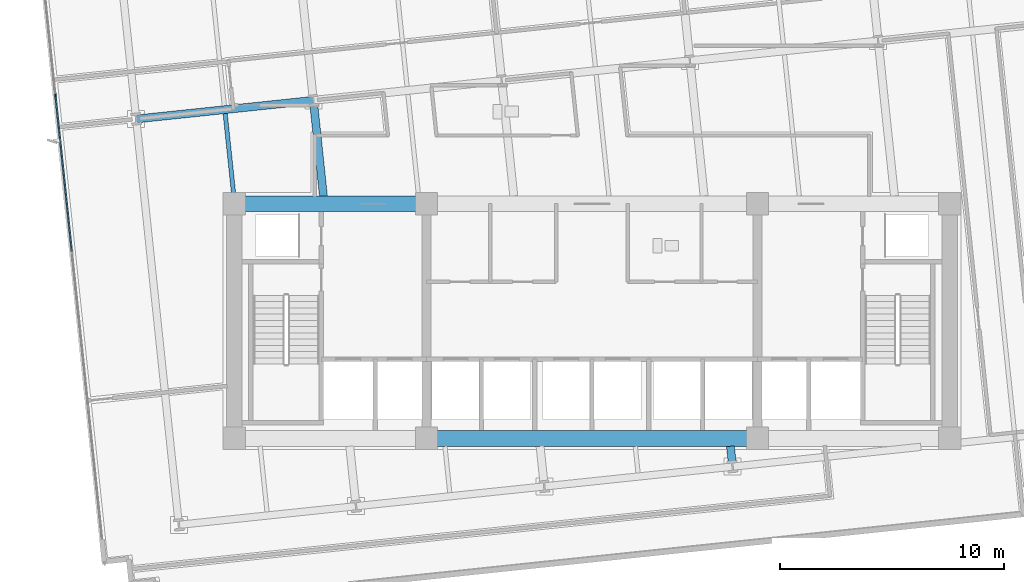
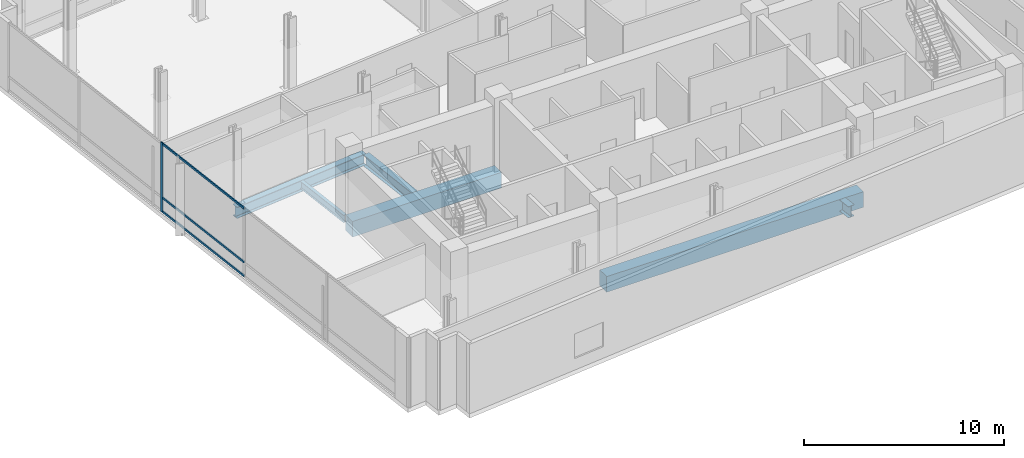
# One storey, part 3 of 20: 6 beams, 4 members, 1 element without a shape of its own.
"""IFC4 building model written with IfcOpenShell, lengths in metres."""

from ifc_helpers import new_model, si_unit, direction, frame, origin, origin_2d, place, context, subcontext, project, spatial, rectangle, i_section, extrude, material, material_profile, profile_set, type_object, element, aggregate, save


model = new_model("IFC4")

# Units and contexts
model_context = context("Model", 3, precision=1e-05, world=origin(), true_north=direction((0.0, 1.0)))
body_context = subcontext(model_context, "Body", "Model", "MODEL_VIEW")
ifc_project = project(units=[si_unit("LENGTHUNIT", "METRE"), si_unit("AREAUNIT", "SQUARE_METRE"), si_unit("VOLUMEUNIT", "CUBIC_METRE"), si_unit("PLANEANGLEUNIT", "RADIAN"), si_unit("MASSUNIT", "GRAM", prefix="KILO")], contexts=[model_context])

# Site, building, storey
site_placement = place(None, origin())
site = spatial("IfcSite", under=ifc_project, at=site_placement, CompositionType="ELEMENT")
building_placement = place(site_placement, origin())
building = spatial("IfcBuilding", under=site, at=building_placement, Name="Solmavex Isthmus Hotel", CompositionType="ELEMENT")
storey_placement = place(building_placement, frame((0.0, 0.0, 101.85009765625)))
storey = spatial("IfcBuildingStorey", under=building, at=storey_placement, Name="L27", CompositionType="ELEMENT", Elevation=101.85009765625)

# Beams
ifc_material_1 = material(Name="Steel ASTM A992 Grade 50", Category="steel")
ifc_material_profile_1 = material_profile(ifc_material_1, i_section(OverallWidth=0.354736328125, OverallDepth=0.695556640625, WebThickness=0.015380859375, FlangeThickness=0.02490234375, FilletRadius=0.017822265625, at=origin_2d()), Name="W27X146")
ifc_profile_set_1 = profile_set([ifc_material_profile_1], Name="Steel ASTM A992 Grade 50")
beam_type_1 = type_object("IfcBeamType", Name="BM-BG-W27X146", PredefinedType="BEAM", material=ifc_profile_set_1)
beam_1_placement = place(storey_placement, frame((-20.383056640625, 1.28564453125, -0.60791015625), z_axis=(0.994520217478, 0.10454442609, 0.0), x_axis=(-0.10454442609, 0.994520217478, 0.0)))
element("IfcBeam", 1, at=beam_1_placement, inside=storey, type_object=beam_type_1, Name="Floor Girder L27-UG07", PredefinedType="BEAM", context=body_context, shape_type="SweptSolid", body=[
    extrude(i_section(OverallWidth=0.354736328125, OverallDepth=0.695556640625, WebThickness=0.015380859375, FlangeThickness=0.02490234375, FilletRadius=0.017822265625, at=origin_2d()), origin(), (0.0, 0.0, 1.0), 7.968017578125),
])
beam_2_placement = place(storey_placement, frame((-12.010009765625, -2.14990234375, -0.60791015625), z_axis=(-0.104548881212, 0.994519749144, 0.0), x_axis=(-0.994519749144, -0.104548881212, 0.0)))
element("IfcBeam", 2, at=beam_2_placement, inside=storey, type_object=beam_type_1, Name="Floor Beam L27-VG29", PredefinedType="BEAM", context=body_context, shape_type="SweptSolid", body=[
    extrude(i_section(OverallWidth=0.354736328125, OverallDepth=0.695556640625, WebThickness=0.015380859375, FlangeThickness=0.02490234375, FilletRadius=0.017822265625, at=origin_2d()), origin(), (0.0, 0.0, 1.0), 4.114501953125),
])
beam_3_placement = place(storey_placement, frame((6.27099609375, -14.09912109375, -0.60791015625), z_axis=(-0.104381041728, 0.99453737895, 0.0), x_axis=(-0.99453737895, -0.104381041728, 0.0)))
element("IfcBeam", 3, at=beam_3_placement, inside=storey, type_object=beam_type_1, Name="Floor Beam L27-VG36", PredefinedType="BEAM", context=body_context, shape_type="SweptSolid", body=[
    extrude(i_section(OverallWidth=0.354736328125, OverallDepth=0.695556640625, WebThickness=0.015380859375, FlangeThickness=0.02490234375, FilletRadius=0.017822265625, at=origin_2d()), origin(), (0.0, 0.0, 1.0), 0.753173828125),
])
ifc_material_profile_2 = material_profile(ifc_material_1, i_section(OverallWidth=0.1904296875, OverallDepth=0.456787109375, WebThickness=0.009033203125, FlangeThickness=0.014404296875, FilletRadius=0.0126953125, at=origin_2d()), Name="W18X50")
ifc_profile_set_2 = profile_set([ifc_material_profile_2], Name="Steel ASTM A992 Grade 50")
beam_type_2 = type_object("IfcBeamType", Name="BM-BJ-W18X50", PredefinedType="JOIST", material=ifc_profile_set_2)
beam_4_placement = place(storey_placement, frame((-16.01611328125, -2.14990234375, -0.488525390625), z_axis=(-0.104505969986, 0.99452425925, 0.0), x_axis=(-0.99452425925, -0.104505969986, 0.0)))
element("IfcBeam", 4, at=beam_4_placement, inside=storey, type_object=beam_type_2, Name="Secondary Floor Joist L27-J02", PredefinedType="JOIST", context=body_context, shape_type="SweptSolid", body=[
    extrude(i_section(OverallWidth=0.1904296875, OverallDepth=0.456787109375, WebThickness=0.009033203125, FlangeThickness=0.014404296875, FilletRadius=0.0126953125, at=origin_2d()), origin(), (0.0, 0.0, 1.0), 3.69580078125),
])
ifc_material_2 = material(Name="Concrete C60/75", Category="concrete")
ifc_material_profile_3 = material_profile(ifc_material_2, rectangle(XDim=0.699951171875, YDim=0.949951171875, at=origin_2d()), Name="RC700X950")
ifc_profile_set_3 = profile_set([ifc_material_profile_3], Name="Concrete C60/75")
beam_type_3 = type_object("IfcBeamType", Name="BM-CB-700X950", PredefinedType="BEAM", material=ifc_profile_set_3)
beam_5_placement = place(storey_placement, frame((-7.39990234375, -13.0, -0.735107421875), z_axis=(1.0, 0.0, 0.0), x_axis=(0.0, 1.0, 0.0)))
element("IfcBeam", 5, at=beam_5_placement, inside=storey, type_object=beam_type_3, Name="Core Coupling Beam L27-CB2", PredefinedType="BEAM", context=body_context, shape_type="SweptSolid", body=[
    extrude(rectangle(XDim=0.699951171875, YDim=0.949951171875, at=origin_2d()), origin(), (0.0, 0.0, 1.0), 14.7998046875),
])
beam_6_placement = place(storey_placement, frame((-16.0, -2.5, -0.735107421875), z_axis=(1.0, 0.0, 0.0), x_axis=(0.0, 1.0, 0.0)))
element("IfcBeam", 6, at=beam_6_placement, inside=storey, type_object=beam_type_3, Name="Core Coupling Beam L27-CB4", PredefinedType="BEAM", context=body_context, shape_type="SweptSolid", body=[
    extrude(rectangle(XDim=0.699951171875, YDim=0.949951171875, at=origin_2d()), origin(), (0.0, 0.0, 1.0), 8.60009765625),
])

# Curtain wall, members
ifc_material_3 = material(Name="Aluminium alloy 6063-T6", Category="aluminium")
curtain_wall_type = type_object("IfcCurtainWallType", Name="CW-SYS-05", PredefinedType="NOTDEFINED", material=ifc_material_3)
curtain_wall_placement = place(storey_placement, origin())
curtain_wall = element("IfcCurtainWall", 7, at=curtain_wall_placement, inside=storey, type_object=curtain_wall_type, Name="Stick Curtain Wall CWL-L27-W1", PredefinedType="NOTDEFINED")
ifc_material_profile_4 = material_profile(ifc_material_3, rectangle(XDim=0.06494140625, YDim=0.159912109375, at=origin_2d()), Name="CWM-65X160")
ifc_profile_set_4 = profile_set([ifc_material_profile_4], Name="Aluminium alloy 6063-T6")
member_type_1 = type_object("IfcMemberType", Name="CW-SYS-05-MUL", PredefinedType="MULLION", material=ifc_profile_set_4)
member_1_placement = place(storey_placement, frame((-23.991455078125, 2.32421875, 0.0), z_axis=(0.0, 0.0, 1.0), x_axis=(-0.994521893044, -0.104528485381, 0.0)))
member_1 = element("IfcMember", 8, at=member_1_placement, type_object=member_type_1, Name="CW-05 mullion 4", PredefinedType="MULLION", context=body_context, shape_type="SweptSolid", body=[
    extrude(rectangle(XDim=0.06494140625, YDim=0.159912109375, at=origin_2d()), origin(), (0.0, 0.0, 1.0), 4.239990234375),
])
ifc_material_profile_5 = material_profile(ifc_material_3, rectangle(XDim=0.06494140625, YDim=0.125, at=origin_2d()), Name="CWT-65X125")
ifc_profile_set_5 = profile_set([ifc_material_profile_5], Name="Aluminium alloy 6063-T6")
member_type_2 = type_object("IfcMemberType", Name="CW-SYS-05-TRN", PredefinedType="USERDEFINED", material=ifc_profile_set_5)
member_2_placement = place(storey_placement, frame((-23.260986328125, -4.625, 0.0625), z_axis=(-0.104534948973, 0.994521213672, 0.0), x_axis=(-0.994521213672, -0.104534948973, 0.0)))
member_2 = element("IfcMember", 9, at=member_2_placement, type_object=member_type_2, Name="CW-05 transom 3.1", ObjectType="TRANSOM", PredefinedType="USERDEFINED", context=body_context, shape_type="SweptSolid", body=[
    extrude(rectangle(XDim=0.06494140625, YDim=0.125, at=origin_2d()), origin(), (0.0, 0.0, 1.0), 6.955078125),
])
member_3_placement = place(storey_placement, frame((-23.260986328125, -4.625, 0.89990234375), z_axis=(-0.104534948973, 0.994521213672, 0.0), x_axis=(-0.994521213672, -0.104534948973, 0.0)))
member_3 = element("IfcMember", 10, at=member_3_placement, type_object=member_type_2, Name="CW-05 transom 3.2", ObjectType="TRANSOM", PredefinedType="USERDEFINED", context=body_context, shape_type="SweptSolid", body=[
    extrude(rectangle(XDim=0.06494140625, YDim=0.125, at=origin_2d()), origin(), (0.0, 0.0, 1.0), 6.955078125),
])
member_4_placement = place(storey_placement, frame((-23.260986328125, -4.625, 4.177490234375), z_axis=(-0.104534948973, 0.994521213672, 0.0), x_axis=(-0.994521213672, -0.104534948973, 0.0)))
member_4 = element("IfcMember", 11, at=member_4_placement, type_object=member_type_2, Name="CW-05 transom 3.3", ObjectType="TRANSOM", PredefinedType="USERDEFINED", context=body_context, shape_type="SweptSolid", body=[
    extrude(rectangle(XDim=0.06494140625, YDim=0.125, at=origin_2d()), origin(), (0.0, 0.0, 1.0), 6.955078125),
])
aggregate(curtain_wall, [member_1, member_2, member_3, member_4])

save(model, "model.ifc")
